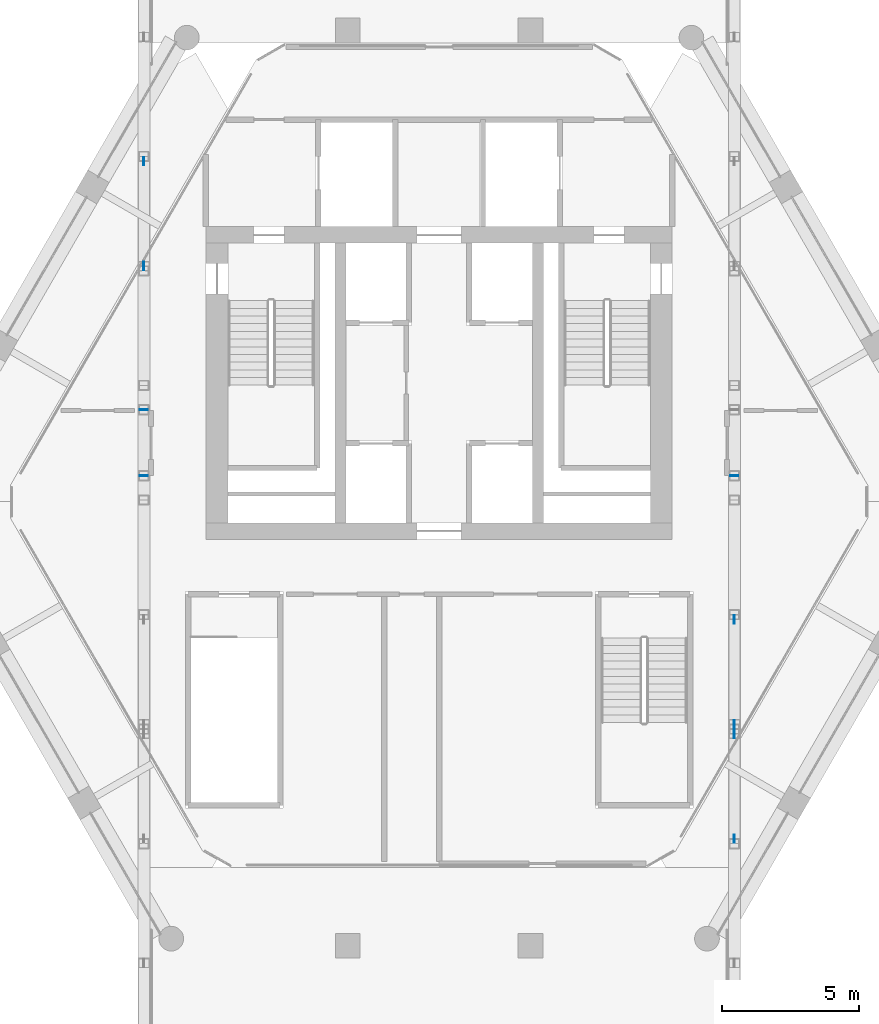
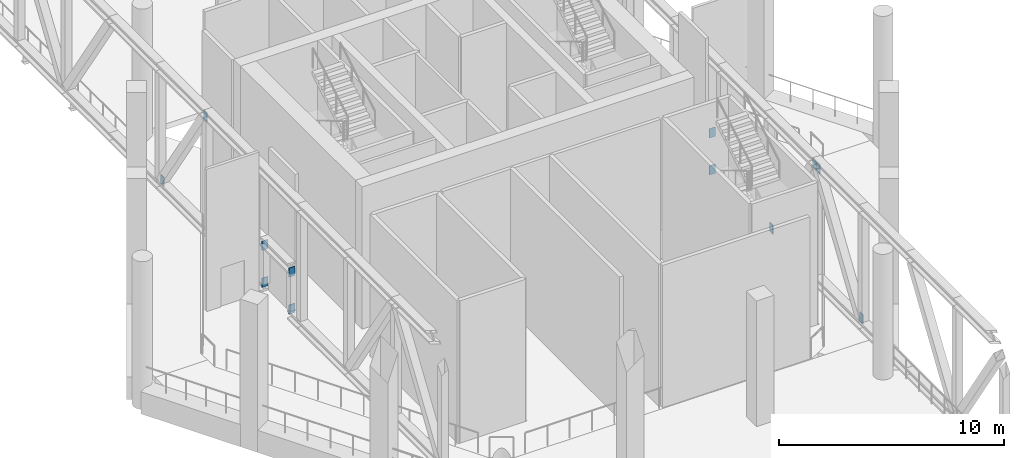
# One storey, part 9 of 14: 12 discrete accessories.
"""IFC4 building model written with IfcOpenShell, lengths in metres."""

from ifc_helpers import new_model, si_unit, direction, frame, origin, origin_2d, place, context, subcontext, project, spatial, rectangle, extrude, material, layer, layer_set, type_object, element, save


model = new_model("IFC4")

# Units and contexts
model_context = context("Model", 3, precision=1e-05, world=origin(), true_north=direction((0.0, 1.0)))
body_context = subcontext(model_context, "Body", "Model", "MODEL_VIEW")
ifc_project = project(units=[si_unit("LENGTHUNIT", "METRE"), si_unit("AREAUNIT", "SQUARE_METRE"), si_unit("VOLUMEUNIT", "CUBIC_METRE"), si_unit("PLANEANGLEUNIT", "RADIAN"), si_unit("MASSUNIT", "GRAM", prefix="KILO")], contexts=[model_context])

# Site, building, storey
site_placement = place(None, origin())
site = spatial("IfcSite", under=ifc_project, at=site_placement, CompositionType="ELEMENT")
building_placement = place(site_placement, origin())
building = spatial("IfcBuilding", under=site, at=building_placement, Name="Ostrander Bayou Hotel Tower", CompositionType="ELEMENT")
storey_placement = place(building_placement, frame((0.0, 0.0, 237.0)))
storey = spatial("IfcBuildingStorey", under=building, at=storey_placement, Name="L59", CompositionType="ELEMENT", Elevation=237.0)

# Discrete accessories
ifc_material = material(Name="Steel ASTM A572 Gr 50", Category="steel")
ifc_layer = layer(ifc_material, 0.030029296875)
ifc_layer_set = layer_set([ifc_layer], Name="GP1 gusset plate 30 mm")
discrete_accessory_type = type_object("IfcDiscreteAccessoryType", Name="GP1 gusset plate 30 mm", PredefinedType="BRACKET", material=ifc_layer_set)
for number, where, z_axis, x_axis, name in (
    (1, (-10.764892578125, 12.083984375, 0.247802734375), (0.0, 0.0, 1.0), (0.0, -1.0, 0.0), "GP1 gusset plate bar 223"),
    (2, (-10.764892578125, 8.263427734375, 6.05224609375), (0.0, 0.0, 1.0), (0.0, -1.0, 0.0), "GP1 gusset plate bar 224"),
    (3, (-10.764892578125, 3.021484375, 0.247802734375), (0.0, 0.0, 1.0), (1.0, 0.0, 0.0), "GP1 gusset plate bar 225"),
    (4, (-10.764892578125, 3.021484375, 2.25), (0.0, 0.0, 1.0), (1.0, 0.0, 0.0), "GP1 gusset plate bar 226"),
    (5, (-10.764892578125, 0.621337890625, 0.247802734375), (0.0, 0.0, 1.0), (1.0, 0.0, 0.0), "GP1 gusset plate bar 227"),
    (6, (-10.764892578125, 0.621337890625, 2.25), (0.0, 0.0, 1.0), (1.0, 0.0, 0.0), "GP1 gusset plate bar 228"),
    (7, (10.764892578125, 0.621337890625, 0.247802734375), (0.0, 0.0, 1.0), (1.0, 0.0, 0.0), "GP1 gusset plate bar 249"),
    (8, (10.764892578125, 0.621337890625, 2.25), (0.0, 0.0, 1.0), (1.0, 0.0, 0.0), "GP1 gusset plate bar 250"),
    (9, (10.764892578125, -4.62060546875, 0.247802734375), (0.0, 0.0, 1.0), (0.0, -1.0, 0.0), "GP1 gusset plate bar 251"),
    (10, (10.764892578125, -8.44140625, 6.05224609375), (0.0, 0.0, 1.0), (0.0, -1.0, 0.0), "GP1 gusset plate bar 252"),
    (11, (10.764892578125, -12.617431640625, 0.247802734375), (0.0, 0.0, 1.0), (0.0, 1.0, 0.0), "GP1 gusset plate bar 253"),
    (12, (10.764892578125, -8.796875, 6.05224609375), (0.0, 0.0, 1.0), (0.0, 1.0, 0.0), "GP1 gusset plate bar 254"),
):
    element("IfcDiscreteAccessory", number, at=place(storey_placement, frame(where, z_axis=z_axis, x_axis=x_axis)), inside=storey, type_object=discrete_accessory_type, Name=name, PredefinedType="BRACKET", context=body_context, shape_type="SweptSolid", body=[
        extrude(rectangle(XDim=0.300048828125, YDim=0.030029296875, at=origin_2d()), origin(), (0.0, 0.0, 1.0), 0.5),
    ])

save(model, "model.ifc")
